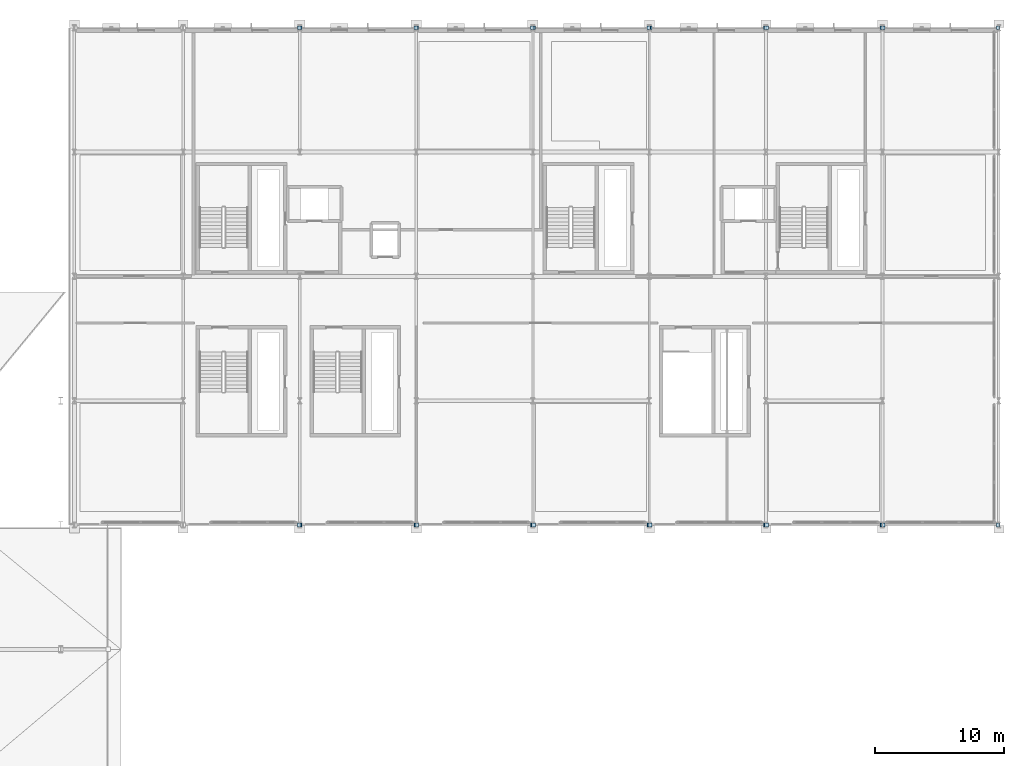
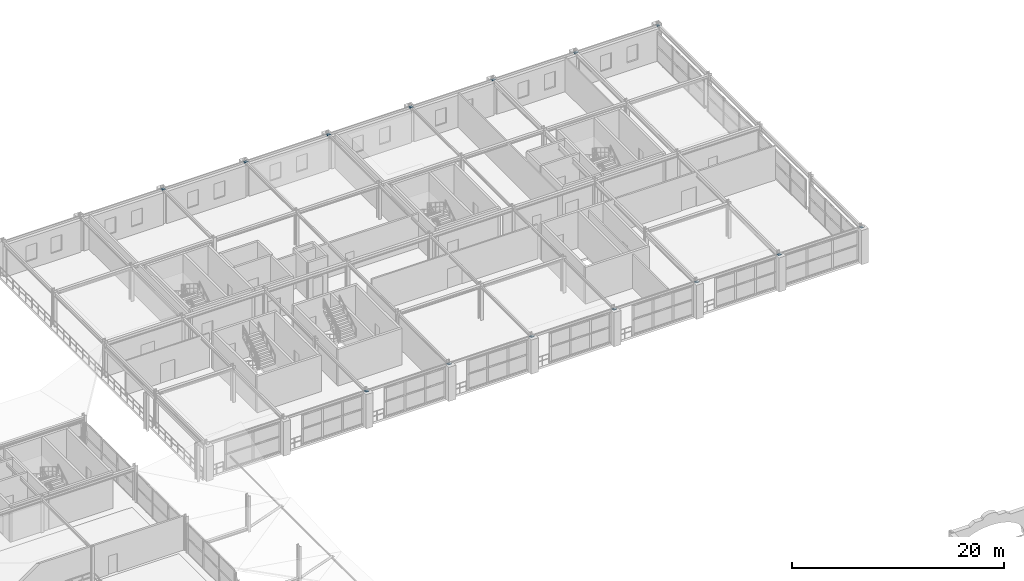
# One storey, part 43 of 81: 26 plates.
"""IFC4 building model written with IfcOpenShell, lengths in metres."""

from ifc_helpers import new_model, si_unit, direction, frame, origin, origin_2d, place, context, subcontext, project, spatial, rectangle, extrude, material, layer, layer_set, type_object, element, save


model = new_model("IFC4")

# Units and contexts
model_context = context("Model", 3, precision=1e-05, world=origin(), true_north=direction((0.0, 1.0)))
body_context = subcontext(model_context, "Body", "Model", "MODEL_VIEW")
ifc_project = project(units=[si_unit("LENGTHUNIT", "METRE"), si_unit("AREAUNIT", "SQUARE_METRE"), si_unit("VOLUMEUNIT", "CUBIC_METRE"), si_unit("PLANEANGLEUNIT", "RADIAN"), si_unit("MASSUNIT", "GRAM", prefix="KILO")], contexts=[model_context])

# Site, building, storey
site_placement = place(None, origin())
site = spatial("IfcSite", under=ifc_project, at=site_placement, CompositionType="ELEMENT")
building_placement = place(site_placement, origin())
building = spatial("IfcBuilding", under=site, at=building_placement, Name="Myrtia Square Station", CompositionType="ELEMENT")
storey_placement = place(building_placement, frame((0.0, 0.0, 10.800048828125)))
storey = spatial("IfcBuildingStorey", under=building, at=storey_placement, Name="L02", CompositionType="ELEMENT", Elevation=10.800048828125)

# Plates
ifc_material = material(Name="Steel S355", Category="steel")
ifc_layer = layer(ifc_material, 0.01611328125, Name="Steel S355")
ifc_layer_set = layer_set([ifc_layer], Name="Steel S355")
plate_type = type_object("IfcPlateType", Name="PLT-GUS16", PredefinedType="USERDEFINED", material=ifc_layer_set)
for number, where, z_axis, x_axis, name in (
    (1, (134.949951171875, 86.39990234375, 3.826904296875), (0.0, 0.0, 1.0), (1.0, 0.0, 0.0), "Truss node gusset plate SPN-L02-0210-2"),
    (2, (135.050048828125, 86.39990234375, 3.826904296875), (0.0, 0.0, 1.0), (1.0, 0.0, 0.0), "Truss node gusset plate SPN-L02-0211-1"),
    (3, (143.949951171875, 86.39990234375, 3.826904296875), (0.0, 0.0, 1.0), (1.0, 0.0, 0.0), "Truss node gusset plate SPN-L02-0211-2"),
    (4, (144.050048828125, 86.39990234375, 3.826904296875), (0.0, 0.0, 1.0), (1.0, 0.0, 0.0), "Truss node gusset plate SPN-L02-0212-1"),
    (5, (152.949951171875, 86.39990234375, 3.826904296875), (0.0, 0.0, 1.0), (1.0, 0.0, 0.0), "Truss node gusset plate SPN-L02-0212-2"),
    (6, (153.050048828125, 86.39990234375, 3.826904296875), (0.0, 0.0, 1.0), (1.0, 0.0, 0.0), "Truss node gusset plate SPN-L02-0213-1"),
    (7, (161.949951171875, 86.39990234375, 3.826904296875), (0.0, 0.0, 1.0), (1.0, 0.0, 0.0), "Truss node gusset plate SPN-L02-0213-2"),
    (8, (162.050048828125, 86.39990234375, 3.826904296875), (0.0, 0.0, 1.0), (1.0, 0.0, 0.0), "Truss node gusset plate SPN-L02-0214-1"),
    (9, (170.949951171875, 86.39990234375, 3.826904296875), (0.0, 0.0, 1.0), (1.0, 0.0, 0.0), "Truss node gusset plate SPN-L02-0214-2"),
    (10, (171.050048828125, 86.39990234375, 3.826904296875), (0.0, 0.0, 1.0), (1.0, 0.0, 0.0), "Truss node gusset plate SPN-L02-0215-1"),
    (11, (179.949951171875, 86.39990234375, 3.826904296875), (0.0, 0.0, 1.0), (1.0, 0.0, 0.0), "Truss node gusset plate SPN-L02-0215-2"),
    (12, (180.050048828125, 86.39990234375, 3.826904296875), (0.0, 0.0, 1.0), (1.0, 0.0, 0.0), "Truss node gusset plate SPN-L02-0216-1"),
    (13, (188.949951171875, 86.39990234375, 3.826904296875), (0.0, 0.0, 1.0), (1.0, 0.0, 0.0), "Truss node gusset plate SPN-L02-0216-2"),
    (14, (134.949951171875, 124.800048828125, 3.826904296875), (0.0, 0.0, 1.0), (1.0, 0.0, 0.0), "Truss node gusset plate SPN-L02-0218-2"),
    (15, (135.050048828125, 124.800048828125, 3.826904296875), (0.0, 0.0, 1.0), (1.0, 0.0, 0.0), "Truss node gusset plate SPN-L02-0219-1"),
    (16, (143.949951171875, 124.800048828125, 3.826904296875), (0.0, 0.0, 1.0), (1.0, 0.0, 0.0), "Truss node gusset plate SPN-L02-0219-2"),
    (17, (144.050048828125, 124.800048828125, 3.826904296875), (0.0, 0.0, 1.0), (1.0, 0.0, 0.0), "Truss node gusset plate SPN-L02-0220-1"),
    (18, (152.949951171875, 124.800048828125, 3.826904296875), (0.0, 0.0, 1.0), (1.0, 0.0, 0.0), "Truss node gusset plate SPN-L02-0220-2"),
    (19, (153.050048828125, 124.800048828125, 3.826904296875), (0.0, 0.0, 1.0), (1.0, 0.0, 0.0), "Truss node gusset plate SPN-L02-0221-1"),
    (20, (161.949951171875, 124.800048828125, 3.826904296875), (0.0, 0.0, 1.0), (1.0, 0.0, 0.0), "Truss node gusset plate SPN-L02-0221-2"),
    (21, (162.050048828125, 124.800048828125, 3.826904296875), (0.0, 0.0, 1.0), (1.0, 0.0, 0.0), "Truss node gusset plate SPN-L02-0222-1"),
    (22, (170.949951171875, 124.800048828125, 3.826904296875), (0.0, 0.0, 1.0), (1.0, 0.0, 0.0), "Truss node gusset plate SPN-L02-0222-2"),
    (23, (171.050048828125, 124.800048828125, 3.826904296875), (0.0, 0.0, 1.0), (1.0, 0.0, 0.0), "Truss node gusset plate SPN-L02-0223-1"),
    (24, (179.949951171875, 124.800048828125, 3.826904296875), (0.0, 0.0, 1.0), (1.0, 0.0, 0.0), "Truss node gusset plate SPN-L02-0223-2"),
    (25, (180.050048828125, 124.800048828125, 3.826904296875), (0.0, 0.0, 1.0), (1.0, 0.0, 0.0), "Truss node gusset plate SPN-L02-0224-1"),
    (26, (188.949951171875, 124.800048828125, 3.826904296875), (0.0, 0.0, 1.0), (1.0, 0.0, 0.0), "Truss node gusset plate SPN-L02-0224-2"),
):
    element("IfcPlate", number, at=place(storey_placement, frame(where, z_axis=z_axis, x_axis=x_axis)), inside=storey, type_object=plate_type, Name=name, ObjectType="GUSSET PLATE", PredefinedType="USERDEFINED", context=body_context, shape_type="SweptSolid", body=[
        extrude(rectangle(XDim=0.280029296875, YDim=0.280029296875, at=origin_2d()), origin(), (0.0, 0.0, 1.0), 0.01611328125),
    ])

save(model, "model.ifc")
